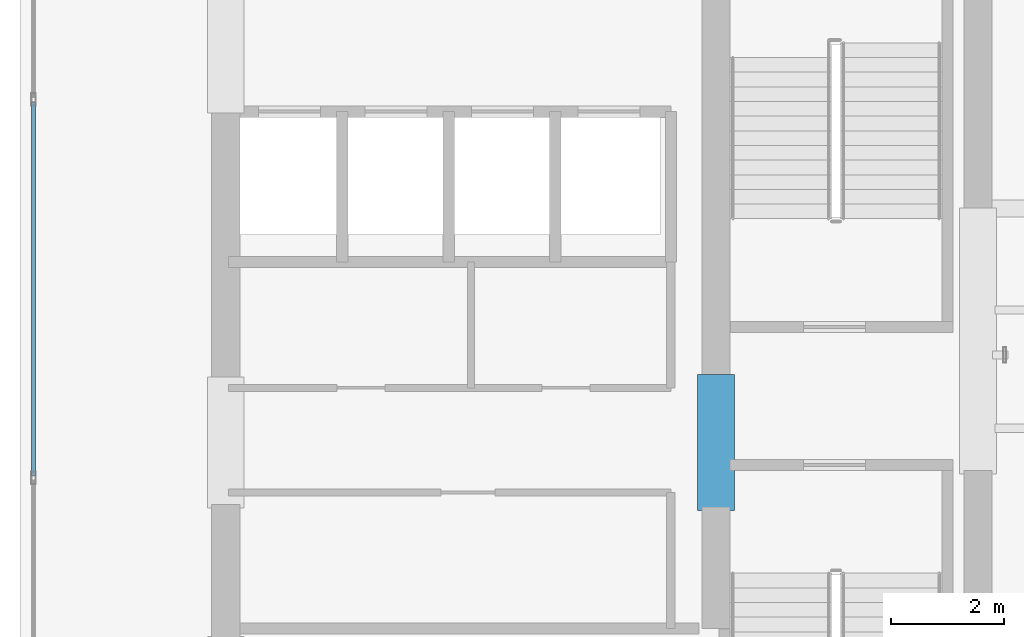
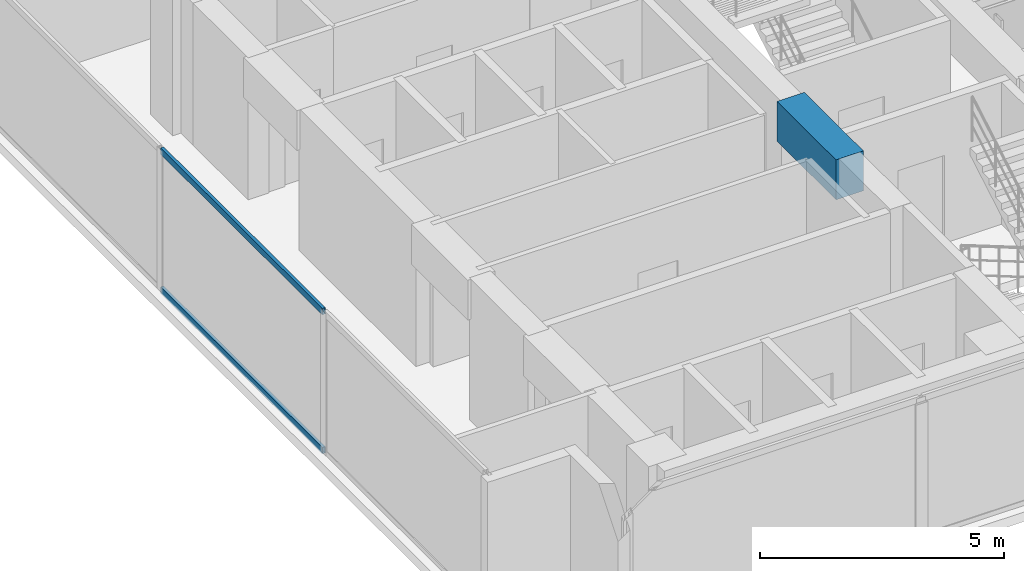
# One storey, part 3 of 24: 2 members, 1 beam, 1 element without a shape of its own.
"""IFC4 building model written with IfcOpenShell, lengths in metres."""

import ifcopenshell
import ifcopenshell.guid

model = None  # the IFC model being written
_history = None  # IfcOwnerHistory: only IFC2X3 demands one
_inside = {}  # id of a spatial element -> (the spatial element, [elements in it])
_under = {}  # id of a project, library or spatial element -> (it, [spatial elements below it])
_declared = {}  # id of a project -> (the project, [libraries it declares])
_typed = {}  # id of a type object -> (the type object, [elements of that type])
_made_of = {}  # id of a material, layer set ... -> (it, [elements and type objects made of it])


def new_model(schema):
    """Start an empty IFC model of exactly this schema.

    Asked for "IFC4X3", IfcOpenShell would pick the latest addendum, in which some entities
    have other attributes; the version numbers below select the first issue.
    IFC2X3 requires an IfcOwnerHistory on every rooted entity: one is made here for all.
    """
    global model, _history
    if schema == "IFC4X3":
        model = ifcopenshell.file(schema_version=(4, 3, 0, 0))
    else:
        model = ifcopenshell.file(schema=schema)
    _inside.clear()
    _under.clear()
    _declared.clear()
    _typed.clear()
    _made_of.clear()
    _history = None
    if model.schema == "IFC2X3":
        org = make("IfcOrganization", Name="unknown")
        user = make(
            "IfcPersonAndOrganization",
            ThePerson=make("IfcPerson", FamilyName="unknown"),
            TheOrganization=org,
        )
        app = make(
            "IfcApplication",
            ApplicationDeveloper=org,
            Version="unknown",
            ApplicationFullName="unknown",
            ApplicationIdentifier="unknown",
        )
        _history = make(
            "IfcOwnerHistory",
            OwningUser=user,
            OwningApplication=app,
            ChangeAction="ADDED",
            CreationDate=0,
        )
    return model


def make(cls, **values):
    """One entity of the class cls with the attributes given. An attribute that is None is left unset."""
    return model.create_entity(
        cls, **{name: value for name, value in values.items() if value is not None}
    )


def rooted(cls, **values):
    """An entity with a GlobalId (a new one), such as an element, a storey or a relation."""
    return make(cls, GlobalId=ifcopenshell.guid.new(), OwnerHistory=_history, **values)


def si_unit(unit_type, name, prefix=None):
    """IfcSIUnit, for example si_unit("LENGTHUNIT", "METRE", prefix="MILLI")."""
    return make("IfcSIUnit", UnitType=unit_type, Prefix=prefix, Name=name)


def assignment(units):
    """IfcUnitAssignment: the units of a project."""
    return None if units is None else make("IfcUnitAssignment", Units=units)


def point(xyz):
    """IfcCartesianPoint."""
    return None if xyz is None else make("IfcCartesianPoint", Coordinates=xyz)


def direction(xyz):
    """IfcDirection."""
    return None if xyz is None else make("IfcDirection", DirectionRatios=xyz)


def frame(location, z_axis=None, x_axis=None):
    """IfcAxis2Placement3D, a coordinate frame: its origin and axes. An axis left out is left unset."""
    return make(
        "IfcAxis2Placement3D",
        Location=point(location),
        Axis=direction(z_axis),
        RefDirection=direction(x_axis),
    )


def frame_2d(location, x_axis=None):
    """IfcAxis2Placement2D, a coordinate frame in the plane: its origin and x axis."""
    return make(
        "IfcAxis2Placement2D", Location=point(location), RefDirection=direction(x_axis)
    )


def origin():
    """The frame at (0, 0, 0) with its axes left unset."""
    return frame((0.0, 0.0, 0.0))


def origin_with_axes():
    """The frame at (0, 0, 0) with the z axis (0, 0, 1) and the x axis (1, 0, 0) written out."""
    return frame((0.0, 0.0, 0.0), z_axis=(0.0, 0.0, 1.0), x_axis=(1.0, 0.0, 0.0))


def origin_2d():
    """The frame at (0, 0) in the plane with its x axis left unset."""
    return frame_2d((0.0, 0.0))


def place(relative_to, where):
    """IfcLocalPlacement: puts the frame where relative to a parent placement (None: the world)."""
    return make(
        "IfcLocalPlacement", PlacementRelTo=relative_to, RelativePlacement=where
    )


def context(
    kind, dimensions, precision=None, world=None, true_north=None, identifier=None
):
    """IfcGeometricRepresentationContext, for example the 3D "Model" context."""
    return make(
        "IfcGeometricRepresentationContext",
        ContextIdentifier=identifier,
        ContextType=kind,
        CoordinateSpaceDimension=dimensions,
        Precision=precision,
        WorldCoordinateSystem=world,
        TrueNorth=true_north,
    )


def subcontext(parent, identifier, kind, view, scale=None):
    """IfcGeometricRepresentationSubContext, for example "Body" below "Model"."""
    return make(
        "IfcGeometricRepresentationSubContext",
        ContextIdentifier=identifier,
        ContextType=kind,
        ParentContext=parent,
        TargetScale=scale,
        TargetView=view,
    )


def project(units=None, contexts=None):
    """IfcProject with its units and contexts."""
    return rooted(
        "IfcProject",
        Name="project",
        RepresentationContexts=contexts,
        UnitsInContext=assignment(units),
    )


def spatial(cls, under=None, at=None, **own):
    """A site, building, storey or space (cls), placed at a placement, below another one or the project."""
    s = rooted(cls, ObjectPlacement=at, **own)
    if under is not None:
        _under.setdefault(under.id(), (under, []))[1].append(s)
    return s


def profile(cls, at=None, kind="AREA", **sizes):
    """A parametric profile (cls). Its sizes go by their IFC names, for example OverallWidth=200.0."""
    return make(cls, ProfileType=kind, Position=at, **sizes)


def rectangle(**sizes):
    """IfcRectangleProfileDef."""
    return profile("IfcRectangleProfileDef", **sizes)


def hollow_rectangle(**sizes):
    """IfcRectangleHollowProfileDef."""
    return profile("IfcRectangleHollowProfileDef", **sizes)


def extrude(swept, where, along, depth):
    """IfcExtrudedAreaSolid: the profile swept, set in the frame where, extruded along a direction by depth."""
    return make(
        "IfcExtrudedAreaSolid",
        SweptArea=swept,
        Position=where,
        ExtrudedDirection=direction(along),
        Depth=depth,
    )


def shape(context_of_items, identifier, shape_type, items):
    """IfcShapeRepresentation: the items that make up one representation, for example the "Body"."""
    return make(
        "IfcShapeRepresentation",
        ContextOfItems=context_of_items,
        RepresentationIdentifier=identifier,
        RepresentationType=shape_type,
        Items=items,
    )


def source(mapping_origin, context_of_items, identifier, shape_type, items):
    """IfcRepresentationMap: a shape defined once, which mapped items show again and again."""
    return make(
        "IfcRepresentationMap",
        MappingOrigin=mapping_origin,
        MappedRepresentation=shape(context_of_items, identifier, shape_type, items),
    )


def transform(
    local_origin,
    x_axis=None,
    y_axis=None,
    z_axis=None,
    scale=None,
    scale2=None,
    scale3=None,
    uniform=True,
):
    """IfcCartesianTransformationOperator3D, or its non-uniform kind. x_axis, y_axis, z_axis: its Axis1, 2, 3."""
    if uniform:
        return make(
            "IfcCartesianTransformationOperator3D",
            Axis1=direction(x_axis),
            Axis2=direction(y_axis),
            LocalOrigin=point(local_origin),
            Scale=scale,
            Axis3=direction(z_axis),
        )
    return make(
        "IfcCartesianTransformationOperator3DnonUniform",
        Axis1=direction(x_axis),
        Axis2=direction(y_axis),
        LocalOrigin=point(local_origin),
        Scale=scale,
        Axis3=direction(z_axis),
        Scale2=scale2,
        Scale3=scale3,
    )


def mapped(mapping_source, mapping_target):
    """IfcMappedItem: shows the shape of a source again, moved by a transform."""
    return make(
        "IfcMappedItem", MappingSource=mapping_source, MappingTarget=mapping_target
    )


def material(Name=None, Category=None):
    """IfcMaterial."""
    return make("IfcMaterial", Name=Name, Category=Category)


def layer(
    of_material, thickness, ventilated=None, Name=None, Category=None, Priority=None
):
    """IfcMaterialLayer: one layer of a wall or slab, of a material (None: an air gap)."""
    return make(
        "IfcMaterialLayer",
        Material=of_material,
        LayerThickness=thickness,
        IsVentilated=ventilated,
        Name=Name,
        Category=Category,
        Priority=Priority,
    )


def layer_set(layers, Name=None):
    """IfcMaterialLayerSet."""
    return make("IfcMaterialLayerSet", MaterialLayers=layers, LayerSetName=Name)


def material_profile(
    of_material, cross_section, Name=None, Category=None, Priority=None
):
    """IfcMaterialProfile: a cross section and its material."""
    return make(
        "IfcMaterialProfile",
        Name=Name,
        Material=of_material,
        Profile=cross_section,
        Priority=Priority,
        Category=Category,
    )


def profile_set(profiles, Name=None, composite=None):
    """IfcMaterialProfileSet."""
    return make(
        "IfcMaterialProfileSet",
        Name=Name,
        MaterialProfiles=profiles,
        CompositeProfile=composite,
    )


def made_of(thing, what):
    """Note that an element or type object is made of a material, layer set ...; save() writes the relation."""
    if what is not None:
        _made_of.setdefault(what.id(), (what, []))[1].append(thing)
    return thing


def type_object(cls, material=None, **own):
    """A type object (cls), such as IfcWallType, which elements share."""
    return made_of(rooted(cls, **own), material)


def element(
    cls,
    number,
    at=None,
    inside=None,
    cuts=None,
    type_object=None,
    material=None,
    context=None,
    identifier="Body",
    shape_type=None,
    held_by="IfcProductDefinitionShape",
    body=None,
    shapes=None,
    **own,
):
    """One element of the class cls, such as IfcWall. Its Tag is "e" and its number.

    at: its placement. inside: the storey or other place that contains it. cuts: it is an
    opening in that element (IfcRelVoidsElement). A single representation is given by context,
    identifier, shape_type and body (its items); several are given by shapes. held_by: the class
    of the entity that holds the representations. save() writes the other relations.
    """
    e = rooted(cls, Tag="e%d" % number, ObjectPlacement=at, **own)
    if body is not None:
        shapes = [shape(context, identifier, shape_type, body)]
    if shapes is not None:
        e.Representation = make(held_by, Representations=shapes)
    if inside is not None:
        _inside.setdefault(inside.id(), (inside, []))[1].append(e)
    if cuts is not None:
        rooted(
            "IfcRelVoidsElement", RelatingBuildingElement=cuts, RelatedOpeningElement=e
        )
    if type_object is not None:
        _typed.setdefault(type_object.id(), (type_object, []))[1].append(e)
    return made_of(e, material)


def aggregate(whole, parts):
    """IfcRelAggregates: a whole, such as a stair, and the parts it consists of."""
    return rooted("IfcRelAggregates", RelatingObject=whole, RelatedObjects=parts)


def save(model, path):
    """Write the relations noted so far, then the file.

    IfcRelAggregates (storeys below a building ...), IfcRelContainedInSpatialStructure (elements
    in a storey), IfcRelDefinesByType, IfcRelAssociatesMaterial and IfcRelDeclares: one each for
    every whole, place, type object, material and project.
    """
    for whole, parts in _under.values():
        aggregate(whole, parts)
    for where, things in _inside.values():
        rooted(
            "IfcRelContainedInSpatialStructure",
            RelatedElements=things,
            RelatingStructure=where,
        )
    for kind, things in _typed.values():
        rooted("IfcRelDefinesByType", RelatedObjects=things, RelatingType=kind)
    for what, things in _made_of.values():
        rooted("IfcRelAssociatesMaterial", RelatedObjects=things, RelatingMaterial=what)
    for by, libraries in _declared.values():
        rooted("IfcRelDeclares", RelatingContext=by, RelatedDefinitions=libraries)
    model.write(path)


model = new_model("IFC4")

# Units and contexts
model_context = context("Model", 3, precision=1e-05, world=origin(), true_north=direction((0.0, 1.0)))
body_context = subcontext(model_context, "Body", "Model", "MODEL_VIEW")
ifc_project = project(units=[si_unit("LENGTHUNIT", "METRE"), si_unit("AREAUNIT", "SQUARE_METRE"), si_unit("VOLUMEUNIT", "CUBIC_METRE"), si_unit("PLANEANGLEUNIT", "RADIAN"), si_unit("MASSUNIT", "GRAM", prefix="KILO")], contexts=[model_context])

# Site, building, storey
site_placement = place(None, origin())
site = spatial("IfcSite", under=ifc_project, at=site_placement, CompositionType="ELEMENT")
building_placement = place(site_placement, origin())
building = spatial("IfcBuilding", under=site, at=building_placement, Name="Kolvaren Waterfront Exchange", CompositionType="ELEMENT")
storey_placement = place(building_placement, frame((0.0, 0.0, 293.199951171875)))
storey = spatial("IfcBuildingStorey", under=building, at=storey_placement, Name="L75", CompositionType="ELEMENT", Elevation=293.199951171875)

# Beam
ifc_material_1 = material(Name="Concrete C60/75", Category="concrete")
ifc_material_profile_1 = material_profile(ifc_material_1, rectangle(XDim=0.64990234375, YDim=1.0, at=origin_2d()), Name="RC-CB-1000x650")
ifc_profile_set_1 = profile_set([ifc_material_profile_1], Name="Concrete C60/75")
beam_type = type_object("IfcBeamType", Name="STR-CB-1000", PredefinedType="SPANDREL", material=ifc_profile_set_1)
beam_placement = place(storey_placement, frame((16.14990234375, 12.0400390625, 3.06005859375), z_axis=(0.0, 1.0, 0.0), x_axis=(-1.0, 0.0, 0.0)))
element("IfcBeam", 1, at=beam_placement, inside=storey, type_object=beam_type, Name="L75 core coupling beam 6", PredefinedType="SPANDREL", context=body_context, shape_type="SweptSolid", body=[
    extrude(rectangle(XDim=0.64990234375, YDim=1.0, at=origin_2d()), origin(), (0.0, 0.0, 1.0), 2.419921875),
])

# Curtain wall, members
ifc_material_2 = material(Name="Anodised aluminium 6063-T6", Category="aluminium")
ifc_layer = layer(ifc_material_2, 0.219970703125, Name="Anodised aluminium 6063-T6")
ifc_layer_set = layer_set([ifc_layer], Name="Anodised aluminium 6063-T6")
curtain_wall_type = type_object("IfcCurtainWallType", Name="ARC-CW-SYS2", PredefinedType="USERDEFINED", material=ifc_layer_set)
curtain_wall_placement = place(storey_placement, origin())
curtain_wall = element("IfcCurtainWall", 2, at=curtain_wall_placement, inside=storey, type_object=curtain_wall_type, Name="L75 stick curtain wall CW2 (CW-L75-W)", ObjectType="STICK CURTAIN WALL", PredefinedType="USERDEFINED")
ifc_material_profile_2 = material_profile(ifc_material_2, hollow_rectangle(XDim=0.074951171875, YDim=0.159912109375, WallThickness=0.00439453125, at=origin_2d()), Name="ALU-TRN-160x75x4.5")
ifc_profile_set_2 = profile_set([ifc_material_profile_2], Name="Anodised aluminium 6063-T6")
member_type = type_object("IfcMemberType", Name="ARC-CWT-160", PredefinedType="USERDEFINED", material=ifc_profile_set_2)
shared_shape = source(origin_with_axes(), body_context, "Body", "SweptSolid", [
    extrude(hollow_rectangle(XDim=0.074951171875, YDim=0.159912109375, WallThickness=0.00439453125, at=origin_2d()), origin(), (0.0, 0.0, 1.0), 6.6376953125),
])
member_1_placement = place(storey_placement, frame((4.0400390625, 12.657470703125, 0.03759765625), z_axis=(0.0, 1.0, 0.0), x_axis=(-1.0, 0.0, 0.0)))
member_1 = element("IfcMember", 3, at=member_1_placement, type_object=member_type, Name="CW2 transom 2.1", ObjectType="TRANSOM", PredefinedType="USERDEFINED", context=body_context, shape_type="MappedRepresentation", body=[
    mapped(shared_shape, transform((0.0, 0.0, 0.0), x_axis=(1.0, 0.0, 0.0), y_axis=(0.0, 1.0, 0.0), z_axis=(0.0, 0.0, 1.0), scale=1.0)),
])
member_2_placement = place(storey_placement, frame((4.0400390625, 12.657470703125, 3.5224609375), z_axis=(0.0, 1.0, 0.0), x_axis=(-1.0, 0.0, 0.0)))
member_2 = element("IfcMember", 4, at=member_2_placement, type_object=member_type, Name="CW2 transom 2.2", ObjectType="TRANSOM", PredefinedType="USERDEFINED", context=body_context, shape_type="MappedRepresentation", body=[
    mapped(shared_shape, transform((0.0, 0.0, 0.0), x_axis=(1.0, 0.0, 0.0), y_axis=(0.0, 1.0, 0.0), z_axis=(0.0, 0.0, 1.0), scale=1.0)),
])
aggregate(curtain_wall, [member_1, member_2])

save(model, "model.ifc")
